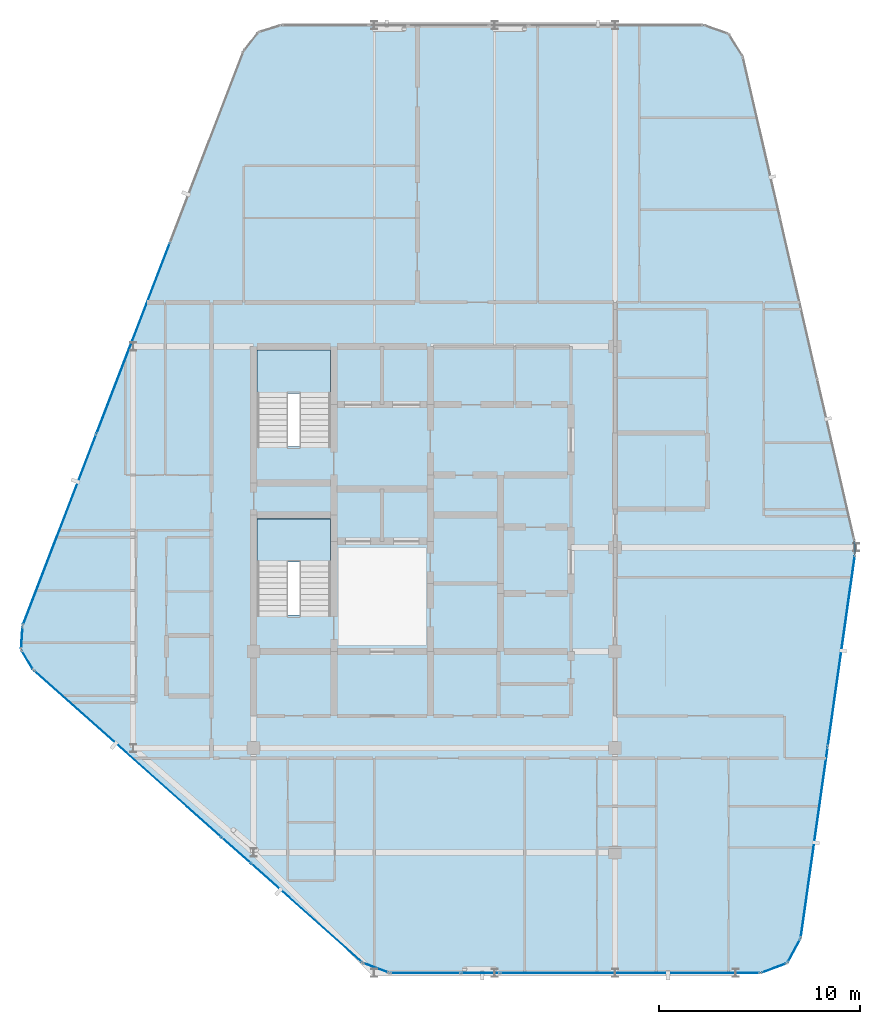
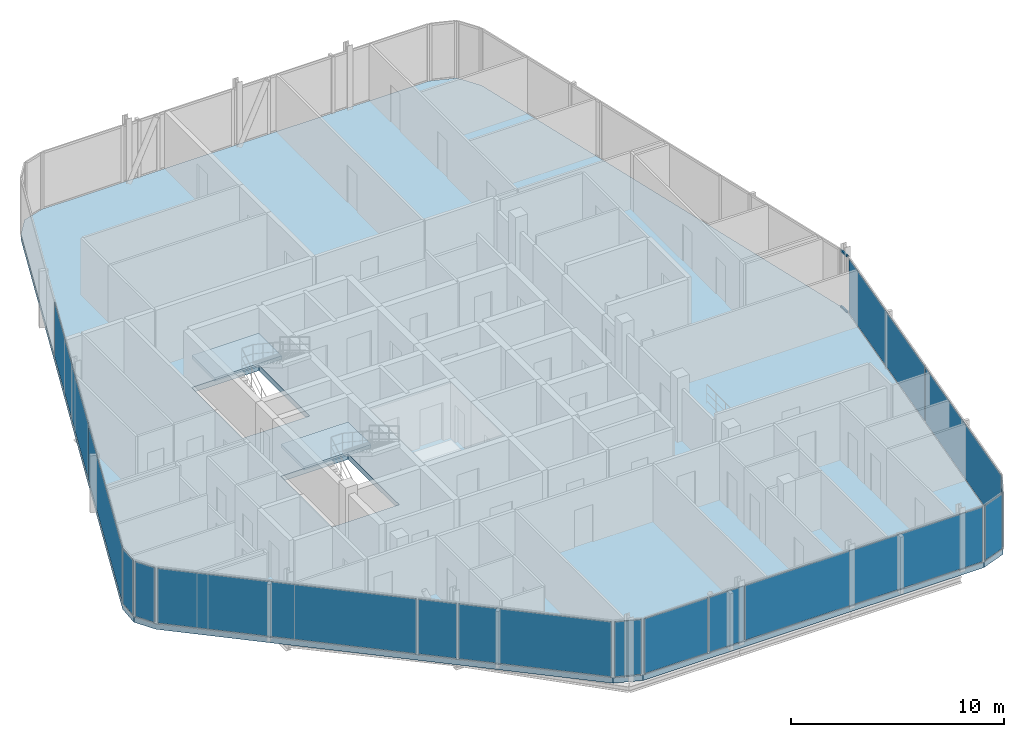
# One storey, part 20 of 27: 15 plates, 3 slabs, 2 members, 16 elements without a shape of their own.
"""IFC4 building model written with IfcOpenShell, lengths in metres."""

from ifc_helpers import new_model, si_unit, direction, frame, origin, origin_2d, place, context, subcontext, project, spatial, polyline, rectangle, hollow_rectangle, outline, extrude, material, layer, layer_set, material_profile, profile_set, type_object, element, aggregate, save


model = new_model("IFC4")

# Units and contexts
model_context = context("Model", 3, precision=1e-05, world=origin(), true_north=direction((0.0, 1.0)))
body_context = subcontext(model_context, "Body", "Model", "MODEL_VIEW")
ifc_project = project(units=[si_unit("LENGTHUNIT", "METRE"), si_unit("AREAUNIT", "SQUARE_METRE"), si_unit("VOLUMEUNIT", "CUBIC_METRE"), si_unit("PLANEANGLEUNIT", "RADIAN"), si_unit("MASSUNIT", "GRAM", prefix="KILO")], contexts=[model_context])

# Site, building, storey
site_placement = place(None, origin())
site = spatial("IfcSite", under=ifc_project, at=site_placement, CompositionType="ELEMENT")
building_placement = place(site_placement, origin())
building = spatial("IfcBuilding", under=site, at=building_placement, Name="Keshet Zoharim Tower", CompositionType="ELEMENT")
storey_placement = place(building_placement, frame((0.0, 0.0, 311.0)))
storey = spatial("IfcBuildingStorey", under=building, at=storey_placement, Name="L78", CompositionType="ELEMENT", Elevation=311.0)

# Curtain wall, members
ifc_material_1 = material(Name="Aluminium 6063-T6", Category="aluminium")
ifc_layer_1 = layer(ifc_material_1, 0.260009765625)
ifc_layer_set_1 = layer_set([ifc_layer_1], Name="Aluminium 6063-T6")
curtain_wall_type = type_object("IfcCurtainWallType", Name="CW-SYS-06", PredefinedType="NOTDEFINED", material=ifc_layer_set_1)
curtain_wall_1_placement = place(storey_placement, origin())
curtain_wall_1 = element("IfcCurtainWall", 1, at=curtain_wall_1_placement, inside=storey, type_object=curtain_wall_type, Name="L78 Unitised Curtain Wall 10", PredefinedType="NOTDEFINED")
ifc_material_profile = material_profile(ifc_material_1, hollow_rectangle(XDim=0.074951171875, YDim=0.1201171875, WallThickness=0.00390625, at=origin_2d()), Name="TRN-75x120")
ifc_profile_set = profile_set([ifc_material_profile], Name="Aluminium 6063-T6")
member_type = type_object("IfcMemberType", Name="CWT-T12", PredefinedType="USERDEFINED", material=ifc_profile_set)
member_1_placement = place(storey_placement, frame((44.9189453125, 28.192138671875, 0.034912109375), z_axis=(0.043813905352, -0.99903970977, 0.0), x_axis=(0.99903970977, 0.043813905352, 0.0)))
member_1 = element("IfcMember", 2, at=member_1_placement, type_object=member_type, Name="CW-06 transom 1.1", ObjectType="TRANSOM", PredefinedType="USERDEFINED", context=body_context, shape_type="SweptSolid", body=[
    extrude(hollow_rectangle(XDim=0.074951171875, YDim=0.1201171875, WallThickness=0.00390625, at=origin_2d()), origin(), (0.0, 0.0, 1.0), 0.590576171875),
])
member_2_placement = place(storey_placement, frame((44.9189453125, 28.192138671875, 3.2451171875), z_axis=(0.043813905352, -0.99903970977, 0.0), x_axis=(0.99903970977, 0.043813905352, 0.0)))
member_2 = element("IfcMember", 3, at=member_2_placement, type_object=member_type, Name="CW-06 transom 1.2", ObjectType="TRANSOM", PredefinedType="USERDEFINED", context=body_context, shape_type="SweptSolid", body=[
    extrude(hollow_rectangle(XDim=0.074951171875, YDim=0.1201171875, WallThickness=0.00390625, at=origin_2d()), origin(), (0.0, 0.0, 1.0), 0.590576171875),
])
aggregate(curtain_wall_1, [member_1, member_2])

# Curtain wall, plate
curtain_wall_2_placement = place(storey_placement, origin())
curtain_wall_2 = element("IfcCurtainWall", 4, at=curtain_wall_2_placement, inside=storey, type_object=curtain_wall_type, Name="L78 Unitised Curtain Wall 01", PredefinedType="NOTDEFINED")
ifc_material_2 = material(Name="Insulated Low-E Clear Glass", Category="glass")
ifc_layer_2 = layer(ifc_material_2, 0.028076171875)
ifc_layer_set_2 = layer_set([ifc_layer_2], Name="Insulated Low-E Clear Glass")
plate_type_1 = type_object("IfcPlateType", Name="CWP-03", PredefinedType="CURTAIN_PANEL", material=ifc_layer_set_2)
plate_1_placement = place(storey_placement, frame((3.7275390625, 22.291015625, 0.06982421875), z_axis=(0.0, 0.0, 1.0), x_axis=(-0.515604947933, 0.856826433805, 0.0)))
plate_1 = element("IfcPlate", 5, at=plate_1_placement, type_object=plate_type_1, Name="CW-06 panel 1.1", PredefinedType="CURTAIN_PANEL", context=body_context, shape_type="SweptSolid", body=[
    extrude(rectangle(XDim=1.052734375, YDim=0.028076171875, at=origin_2d()), origin(), (0.0, 0.0, 1.0), 3.139892578125),
])
aggregate(curtain_wall_2, [plate_1])

curtain_wall_3_placement = place(storey_placement, origin())
curtain_wall_3 = element("IfcCurtainWall", 6, at=curtain_wall_3_placement, inside=storey, type_object=curtain_wall_type, Name="L78 Unitised Curtain Wall 02", PredefinedType="NOTDEFINED")
plate_2_placement = place(storey_placement, frame((3.45849609375, 23.3974609375, 0.06982421875), z_axis=(0.0, 0.0, 1.0), x_axis=(0.064516859374, 0.997916617186, 0.0)))
plate_2 = element("IfcPlate", 7, at=plate_2_placement, type_object=plate_type_1, Name="CW-06 panel 1.1", PredefinedType="CURTAIN_PANEL", context=body_context, shape_type="SweptSolid", body=[
    extrude(rectangle(XDim=1.053466796875, YDim=0.028076171875, at=origin_2d()), origin(), (0.0, 0.0, 1.0), 3.139892578125),
])
aggregate(curtain_wall_3, [plate_2])

# Curtain wall, plates
curtain_wall_4_placement = place(storey_placement, origin())
curtain_wall_4 = element("IfcCurtainWall", 8, at=curtain_wall_4_placement, inside=storey, type_object=curtain_wall_type, Name="L78 Unitised Curtain Wall 03", PredefinedType="NOTDEFINED")
plate_3_placement = place(storey_placement, frame((5.33837890625, 28.7802734375, 0.06982421875), z_axis=(0.0, 0.0, 1.0), x_axis=(0.358990003907, 0.933341404361, 0.0)))
plate_3 = element("IfcPlate", 9, at=plate_3_placement, type_object=plate_type_1, Name="CW-06 panel 1.1", PredefinedType="CURTAIN_PANEL", context=body_context, shape_type="SweptSolid", body=[
    extrude(rectangle(XDim=10.1181640625, YDim=0.028076171875, at=origin_2d()), origin(), (0.0, 0.0, 1.0), 3.139892578125),
])
plate_4_placement = place(storey_placement, frame((9.001953125, 38.305419921875, 0.06982421875), z_axis=(0.0, 0.0, 1.0), x_axis=(0.358990003907, 0.933341404361, 0.0)))
plate_4 = element("IfcPlate", 10, at=plate_4_placement, type_object=plate_type_1, Name="CW-06 panel 2.1", PredefinedType="CURTAIN_PANEL", context=body_context, shape_type="SweptSolid", body=[
    extrude(rectangle(XDim=10.153076171875, YDim=0.028076171875, at=origin_2d()), origin(), (0.0, 0.0, 1.0), 3.139892578125),
])
aggregate(curtain_wall_4, [plate_3, plate_4])

curtain_wall_5_placement = place(storey_placement, origin())
curtain_wall_5 = element("IfcCurtainWall", 11, at=curtain_wall_5_placement, inside=storey, type_object=curtain_wall_type, Name="L78 Unitised Curtain Wall 11", PredefinedType="NOTDEFINED")
plate_5_placement = place(storey_placement, frame((44.269287109375, 22.736572265625, 0.06982421875), z_axis=(0.0, 0.0, 1.0), x_axis=(-0.140137464177, -0.990132057422, 0.0)))
plate_5 = element("IfcPlate", 12, at=plate_5_placement, type_object=plate_type_1, Name="CW-06 panel 1.1", PredefinedType="CURTAIN_PANEL", context=body_context, shape_type="SweptSolid", body=[
    extrude(rectangle(XDim=9.546142578125, YDim=0.028076171875, at=origin_2d()), origin(), (0.0, 0.0, 1.0), 3.139892578125),
])
plate_6_placement = place(storey_placement, frame((42.921630859375, 13.21533203125, 0.06982421875), z_axis=(0.0, 0.0, 1.0), x_axis=(-0.140137464177, -0.990132057422, 0.0)))
plate_6 = element("IfcPlate", 13, at=plate_6_placement, type_object=plate_type_1, Name="CW-06 panel 2.1", PredefinedType="CURTAIN_PANEL", context=body_context, shape_type="SweptSolid", body=[
    extrude(rectangle(XDim=9.546142578125, YDim=0.028076171875, at=origin_2d()), origin(), (0.0, 0.0, 1.0), 3.139892578125),
])
aggregate(curtain_wall_5, [plate_5, plate_6])

# Curtain wall, plate
curtain_wall_6_placement = place(storey_placement, origin())
curtain_wall_6 = element("IfcCurtainWall", 14, at=curtain_wall_6_placement, inside=storey, type_object=curtain_wall_type, Name="L78 Unitised Curtain Wall 12", PredefinedType="NOTDEFINED")
plate_7_placement = place(storey_placement, frame((41.908447265625, 7.804931640625, 0.06982421875), z_axis=(0.0, 0.0, 1.0), x_axis=(-0.477800955789, -0.878468125004, 0.0)))
plate_7 = element("IfcPlate", 15, at=plate_7_placement, type_object=plate_type_1, Name="CW-06 panel 1.1", PredefinedType="CURTAIN_PANEL", context=body_context, shape_type="SweptSolid", body=[
    extrude(rectangle(XDim=1.26025390625, YDim=0.028076171875, at=origin_2d()), origin(), (0.0, 0.0, 1.0), 3.139892578125),
])
aggregate(curtain_wall_6, [plate_7])

curtain_wall_7_placement = place(storey_placement, origin())
curtain_wall_7 = element("IfcCurtainWall", 16, at=curtain_wall_7_placement, inside=storey, type_object=curtain_wall_type, Name="L78 Unitised Curtain Wall 13", PredefinedType="NOTDEFINED")
plate_8_placement = place(storey_placement, frame((40.91845703125, 6.945068359375, 0.06982421875), z_axis=(0.0, 0.0, 1.0), x_axis=(-0.936710343781, -0.350105315376, 0.0)))
plate_8 = element("IfcPlate", 17, at=plate_8_placement, type_object=plate_type_1, Name="CW-06 panel 1.1", PredefinedType="CURTAIN_PANEL", context=body_context, shape_type="SweptSolid", body=[
    extrude(rectangle(XDim=1.259521484375, YDim=0.028076171875, at=origin_2d()), origin(), (0.0, 0.0, 1.0), 3.139892578125),
])
aggregate(curtain_wall_7, [plate_8])

curtain_wall_8_placement = place(storey_placement, origin())
curtain_wall_8 = element("IfcCurtainWall", 18, at=curtain_wall_8_placement, inside=storey, type_object=curtain_wall_type, Name="L78 Unitised Curtain Wall 14", PredefinedType="NOTDEFINED")
plate_9_placement = place(storey_placement, frame((33.74365234375, 6.699951171875, 0.06982421875), z_axis=(0.0, 0.0, 1.0), x_axis=(-1.0, 0.0, 0.0)))
plate_9 = element("IfcPlate", 19, at=plate_9_placement, type_object=plate_type_1, Name="CW-06 panel 1.1", PredefinedType="CURTAIN_PANEL", context=body_context, shape_type="SweptSolid", body=[
    extrude(rectangle(XDim=12.89892578125, YDim=0.028076171875, at=origin_2d()), origin(), (0.0, 0.0, 1.0), 3.139892578125),
])
aggregate(curtain_wall_8, [plate_9])

curtain_wall_9_placement = place(storey_placement, origin())
curtain_wall_9 = element("IfcCurtainWall", 20, at=curtain_wall_9_placement, inside=storey, type_object=curtain_wall_type, Name="L78 Unitised Curtain Wall 14 Part 3", PredefinedType="NOTDEFINED")
plate_10_placement = place(storey_placement, frame((23.552978515625, 6.699951171875, 0.06982421875), z_axis=(0.0, 0.0, 1.0), x_axis=(-1.0, 0.0, 0.0)))
plate_10 = element("IfcPlate", 21, at=plate_10_placement, type_object=plate_type_1, Name="CW-06 panel 1.1", PredefinedType="CURTAIN_PANEL", context=body_context, shape_type="SweptSolid", body=[
    extrude(rectangle(XDim=3.44580078125, YDim=0.028076171875, at=origin_2d()), origin(), (0.0, 0.0, 1.0), 3.139892578125),
])
aggregate(curtain_wall_9, [plate_10])

curtain_wall_10_placement = place(storey_placement, origin())
curtain_wall_10 = element("IfcCurtainWall", 22, at=curtain_wall_10_placement, inside=storey, type_object=curtain_wall_type, Name="L78 Unitised Curtain Wall 15", PredefinedType="NOTDEFINED")
plate_11_placement = place(storey_placement, frame((21.095947265625, 6.952392578125, 0.06982421875), z_axis=(0.0, 0.0, 1.0), x_axis=(-0.934699418314, 0.355439161326, 0.0)))
plate_11 = element("IfcPlate", 23, at=plate_11_placement, type_object=plate_type_1, Name="CW-06 panel 1.1", PredefinedType="CURTAIN_PANEL", context=body_context, shape_type="SweptSolid", body=[
    extrude(rectangle(XDim=1.28076171875, YDim=0.028076171875, at=origin_2d()), origin(), (0.0, 0.0, 1.0), 3.139892578125),
])
aggregate(curtain_wall_10, [plate_11])

curtain_wall_11_placement = place(storey_placement, origin())
curtain_wall_11 = element("IfcCurtainWall", 24, at=curtain_wall_11_placement, inside=storey, type_object=curtain_wall_type, Name="L78 Unitised Curtain Wall 16", PredefinedType="NOTDEFINED")
plate_12_placement = place(storey_placement, frame((17.63427734375, 9.69189453125, 0.06982421875), z_axis=(0.0, 0.0, 1.0), x_axis=(-0.747413740347, 0.664358864426, 0.0)))
plate_12 = element("IfcPlate", 25, at=plate_12_placement, type_object=plate_type_1, Name="CW-06 panel 1.1", PredefinedType="CURTAIN_PANEL", context=body_context, shape_type="SweptSolid", body=[
    extrude(rectangle(XDim=7.3466796875, YDim=0.028076171875, at=origin_2d()), origin(), (0.0, 0.0, 1.0), 3.139892578125),
])
aggregate(curtain_wall_11, [plate_12])

curtain_wall_12_placement = place(storey_placement, origin())
curtain_wall_12 = element("IfcCurtainWall", 26, at=curtain_wall_12_placement, inside=storey, type_object=curtain_wall_type, Name="L78 Unitised Curtain Wall 16 Part 3", PredefinedType="NOTDEFINED")
plate_13_placement = place(storey_placement, frame((8.73388671875, 17.603271484375, 0.06982421875), z_axis=(0.0, 0.0, 1.0), x_axis=(-0.747414613723, 0.664357881863, 0.0)))
plate_13 = element("IfcPlate", 27, at=plate_13_placement, type_object=plate_type_1, Name="CW-06 panel 1.1", PredefinedType="CURTAIN_PANEL", context=body_context, shape_type="SweptSolid", body=[
    extrude(rectangle(XDim=12.43359375, YDim=0.028076171875, at=origin_2d()), origin(), (0.0, 0.0, 1.0), 3.139892578125),
])
aggregate(curtain_wall_12, [plate_13])

curtain_wall_13_placement = place(storey_placement, origin())
curtain_wall_13 = element("IfcCurtainWall", 28, at=curtain_wall_13_placement, inside=storey, type_object=curtain_wall_type, Name="L78 Unitised Curtain Wall 14 Part 2", PredefinedType="NOTDEFINED")
ifc_material_3 = material(Name="Insulated Aluminium Spandrel Panel", Category="aluminium")
ifc_layer_3 = layer(ifc_material_3, 0.028076171875)
ifc_layer_set_3 = layer_set([ifc_layer_3], Name="Insulated Aluminium Spandrel Panel")
plate_type_2 = type_object("IfcPlateType", Name="CWP-06", PredefinedType="CURTAIN_PANEL", material=ifc_layer_set_3)
plate_14_placement = place(storey_placement, frame((26.284912109375, 6.699951171875, 0.06982421875), z_axis=(0.0, 0.0, 1.0), x_axis=(-1.0, 0.0, 0.0)))
plate_14 = element("IfcPlate", 29, at=plate_14_placement, type_object=plate_type_2, Name="CW-06 spandrel panel 1.1", PredefinedType="CURTAIN_PANEL", context=body_context, shape_type="SweptSolid", body=[
    extrude(rectangle(XDim=1.878173828125, YDim=0.028076171875, at=origin_2d()), origin(), (0.0, 0.0, 1.0), 3.139892578125),
])
aggregate(curtain_wall_13, [plate_14])

curtain_wall_14_placement = place(storey_placement, origin())
curtain_wall_14 = element("IfcCurtainWall", 30, at=curtain_wall_14_placement, inside=storey, type_object=curtain_wall_type, Name="L78 Unitised Curtain Wall 16 Part 2", PredefinedType="NOTDEFINED")
plate_15_placement = place(storey_placement, frame((14.134521484375, 12.802734375, 0.06982421875), z_axis=(0.0, 0.0, 1.0), x_axis=(-0.747386663137, 0.664389325445, 0.0)))
plate_15 = element("IfcPlate", 31, at=plate_15_placement, type_object=plate_type_2, Name="CW-06 spandrel panel 1.1", PredefinedType="CURTAIN_PANEL", context=body_context, shape_type="SweptSolid", body=[
    extrude(rectangle(XDim=1.878173828125, YDim=0.028076171875, at=origin_2d()), origin(), (0.0, 0.0, 1.0), 3.139892578125),
])
aggregate(curtain_wall_14, [plate_15])

# Stair, slab
ifc_material_4 = material(Name="Concrete C50/60", Category="concrete")
stair_type = type_object("IfcStairType", Name="STR-EXIT-135", PredefinedType="HALF_TURN_STAIR", material=ifc_material_4)
stair_1_placement = place(storey_placement, origin())
stair_1 = element("IfcStair", 32, at=stair_1_placement, inside=storey, type_object=stair_type, Name="L78 Enclosed Exit Stair ST-01", PredefinedType="HALF_TURN_STAIR")
ifc_layer_4 = layer(ifc_material_4, 0.199951171875)
ifc_layer_set_4 = layer_set([ifc_layer_4], Name="Concrete C50/60")
slab_type_1 = type_object("IfcSlabType", Name="SLB-LND-200", PredefinedType="LANDING", material=ifc_layer_set_4)
slab_1_placement = place(storey_placement, frame((0.0, 0.0, 1.64990234375)))
slab_1 = element("IfcSlab", 33, at=slab_1_placement, type_object=slab_type_1, Name="ST-01 landing 1", PredefinedType="LANDING", context=body_context, shape_type="SweptSolid", body=[
    extrude(outline(polyline([(15.179931640625, 27.159912109375), (18.820068359375, 27.159912109375), (18.820068359375, 29.320068359375), (15.179931640625, 29.320068359375), (15.179931640625, 27.159912109375)])), origin(), (0.0, 0.0, 1.0), 0.2001953125),
])
aggregate(stair_1, [slab_1])

stair_2_placement = place(storey_placement, origin())
stair_2 = element("IfcStair", 34, at=stair_2_placement, inside=storey, type_object=stair_type, Name="L78 Enclosed Exit Stair ST-02", PredefinedType="HALF_TURN_STAIR")
slab_2_placement = place(storey_placement, frame((0.0, 0.0, 1.64990234375)))
slab_2 = element("IfcSlab", 35, at=slab_2_placement, type_object=slab_type_1, Name="ST-02 landing 1", PredefinedType="LANDING", context=body_context, shape_type="SweptSolid", body=[
    extrude(outline(polyline([(15.179931640625, 35.56005859375), (18.820068359375, 35.56005859375), (18.820068359375, 37.719970703125), (15.179931640625, 37.719970703125), (15.179931640625, 35.56005859375)])), origin(), (0.0, 0.0, 1.0), 0.2001953125),
])
aggregate(stair_2, [slab_2])

# Slab
ifc_layer_5 = layer(ifc_material_4, 0.31005859375)
ifc_layer_set_5 = layer_set([ifc_layer_5], Name="Concrete C50/60")
slab_type_2 = type_object("IfcSlabType", Name="SLB-UPP-240", PredefinedType="FLOOR", material=ifc_layer_set_5)
slab_3_placement = place(storey_placement, frame((0.0, 0.0, -0.31005859375)))
element("IfcSlab", 36, at=slab_3_placement, inside=storey, type_object=slab_type_2, Name="L78 Structural Floor Slab 1", PredefinedType="FLOOR", context=body_context, shape_type="SweptSolid", body=[
    extrude(outline(polyline([(4.034912109375, 21.780029296875), (3.419921875, 22.802001953125), (3.4970703125, 23.992919921875), (14.507080078125, 52.617919921875), (15.240966796875, 53.549072265625), (16.3740234375, 53.89990234375), (37.408935546875, 53.89990234375), (38.654052734375, 53.465087890625), (39.35791015625, 52.35009765625), (44.916015625, 28.261962890625), (44.947998046875, 27.531982421875), (42.242919921875, 8.419921875), (41.573974609375, 7.18994140625), (40.262939453125, 6.699951171875), (21.760009765625, 6.699951171875), (20.431884765625, 7.205078125), (4.034912109375, 21.780029296875)]), holes=[polyline([(15.179931640625, 24.52001953125), (18.820068359375, 24.52001953125), (18.820068359375, 29.320068359375), (15.179931640625, 29.320068359375), (15.179931640625, 24.52001953125)]), polyline([(15.179931640625, 32.919921875), (18.820068359375, 32.919921875), (18.820068359375, 37.719970703125), (15.179931640625, 37.719970703125), (15.179931640625, 32.919921875)])]), origin(), (0.0, 0.0, 1.0), 0.31005859375),
])

save(model, "model.ifc")
